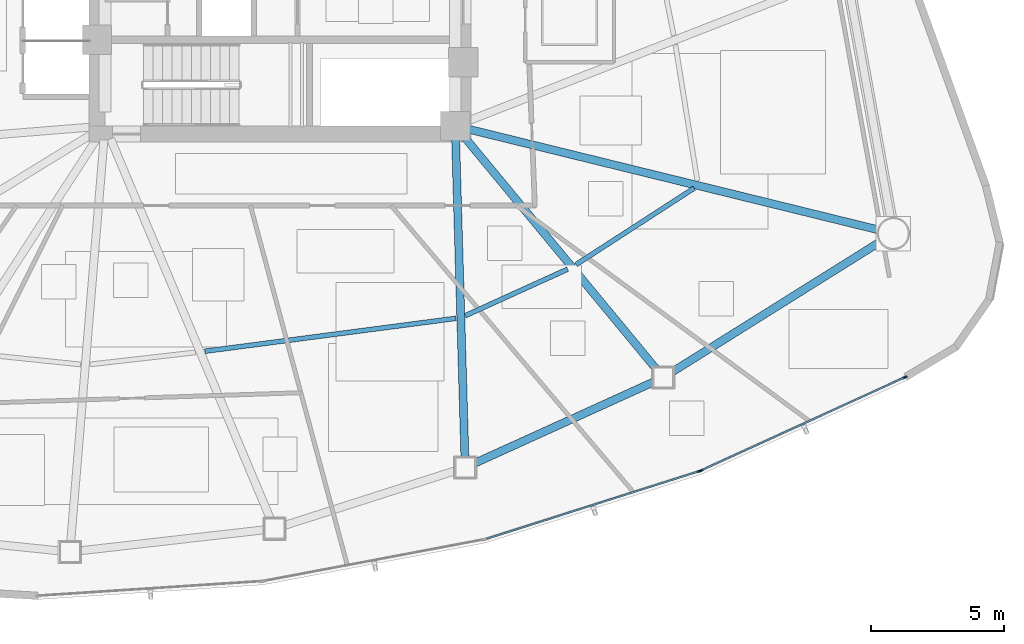
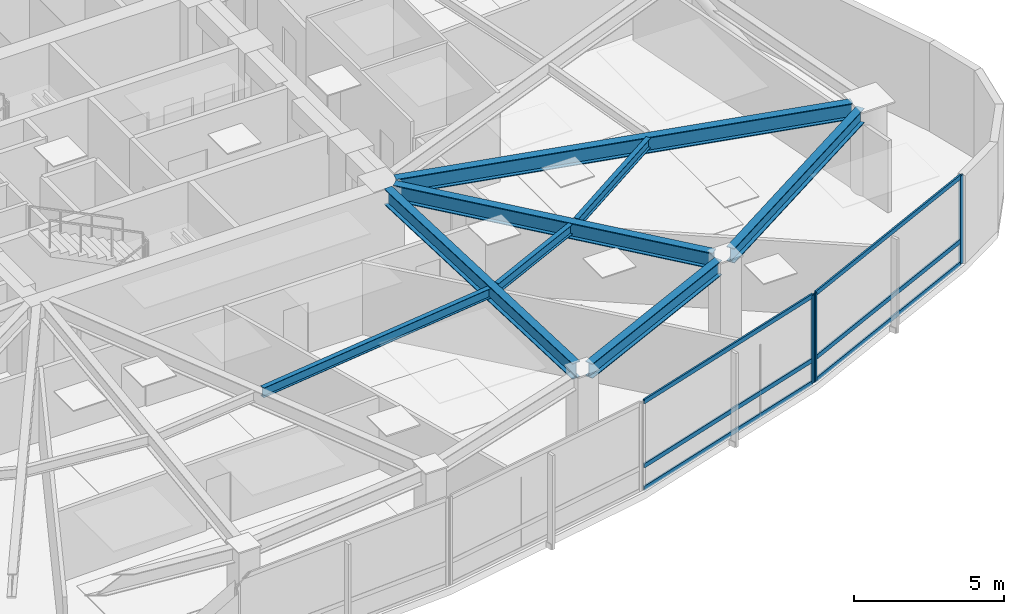
# One storey, part 6 of 18: 9 members, 8 beams, 2 elements without a shape of their own.
"""IFC4 building model written with IfcOpenShell, lengths in metres."""

from ifc_helpers import new_model, si_unit, direction, frame, origin, origin_2d, place, context, subcontext, project, spatial, hollow_rectangle, i_section, extrude, source, transform, mapped, material, layer, layer_set, material_profile, profile_set, type_object, type_shapes, element, aggregate, save


model = new_model("IFC4")

# Units and contexts
model_context = context("Model", 3, precision=1e-05, world=origin(), true_north=direction((0.0, 1.0)))
body_context = subcontext(model_context, "Body", "Model", "MODEL_VIEW")
ifc_project = project(units=[si_unit("LENGTHUNIT", "METRE"), si_unit("AREAUNIT", "SQUARE_METRE"), si_unit("VOLUMEUNIT", "CUBIC_METRE"), si_unit("PLANEANGLEUNIT", "RADIAN"), si_unit("MASSUNIT", "GRAM", prefix="KILO")], contexts=[model_context])

# Site, building, storey
site_placement = place(None, origin())
site = spatial("IfcSite", under=ifc_project, at=site_placement, CompositionType="ELEMENT")
building_placement = place(site_placement, origin())
building = spatial("IfcBuilding", under=site, at=building_placement, Name="Tavelor Broadcast Tower", CompositionType="ELEMENT")
storey_placement = place(building_placement, frame((0.0, 0.0, 54.89990234375)))
storey = spatial("IfcBuildingStorey", under=building, at=storey_placement, Name="L12", CompositionType="ELEMENT", Elevation=54.89990234375)

# Beams
ifc_material_1 = material(Name="Steel S355", Category="steel")
ifc_material_profile_1 = material_profile(ifc_material_1, i_section(OverallWidth=0.179931640625, OverallDepth=0.39990234375, WebThickness=0.008544921875, FlangeThickness=0.013427734375, at=origin_2d()), Name="IPE 400")
ifc_profile_set_1 = profile_set([ifc_material_profile_1], Name="Steel S355")
beam_type_1 = type_object("IfcBeamType", Name="Composite Floor Joist T1 IPE 400", PredefinedType="JOIST", material=ifc_profile_set_1)
beam_1_placement = place(storey_placement, frame((47.16259765625, 30.3056640625, 3.400146484375), z_axis=(0.991514230948, 0.129998191635, 0.0), x_axis=(-0.129998191635, 0.991514230948, 0.0)))
element("IfcBeam", 1, at=beam_1_placement, inside=storey, type_object=beam_type_1, Name="L12 Secondary Composite Floor Joist 10", PredefinedType="JOIST", context=body_context, shape_type="SweptSolid", body=[
    extrude(i_section(OverallWidth=0.179931640625, OverallDepth=0.39990234375, WebThickness=0.008544921875, FlangeThickness=0.013427734375, at=origin_2d()), origin(), (0.0, 0.0, 1.0), 9.5498046875),
])
beam_2_placement = place(storey_placement, frame((56.9755859375, 31.6455078125, 3.400146484375), z_axis=(0.910480737696, 0.413551479607, 0.0), x_axis=(-0.413551479607, 0.910480737696, 0.0)))
element("IfcBeam", 2, at=beam_2_placement, inside=storey, type_object=beam_type_1, Name="L12 Secondary Composite Floor Joist 11", PredefinedType="JOIST", context=body_context, shape_type="SweptSolid", body=[
    extrude(i_section(OverallWidth=0.179931640625, OverallDepth=0.39990234375, WebThickness=0.008544921875, FlangeThickness=0.013427734375, at=origin_2d()), origin(), (0.0, 0.0, 1.0), 4.242919921875),
])
beam_3_placement = place(storey_placement, frame((61.1552734375, 33.573486328125, 3.400146484375), z_axis=(0.839582514508, 0.543232179949, 0.0), x_axis=(-0.543232179949, 0.839582514508, 0.0)))
element("IfcBeam", 3, at=beam_3_placement, inside=storey, type_object=beam_type_1, Name="L12 Secondary Composite Floor Joist 12", PredefinedType="JOIST", context=body_context, shape_type="SweptSolid", body=[
    extrude(i_section(OverallWidth=0.179931640625, OverallDepth=0.39990234375, WebThickness=0.008544921875, FlangeThickness=0.013427734375, at=origin_2d()), origin(), (0.0, 0.0, 1.0), 5.300537109375),
])
ifc_material_profile_2 = material_profile(ifc_material_1, i_section(OverallWidth=0.300048828125, OverallDepth=0.60009765625, WebThickness=0.015380859375, FlangeThickness=0.030029296875, at=origin_2d()), Name="HEB 600")
ifc_profile_set_2 = profile_set([ifc_material_profile_2], Name="Steel S355")
beam_type_2 = type_object("IfcBeamType", Name="Perimeter Spandrel Beam T1 HEB 600", PredefinedType="SPANDREL", material=ifc_profile_set_2)
beam_4_placement = place(storey_placement, frame((57.324951171875, 26.080322265625, 3.300048828125), z_axis=(0.910424944341, 0.413674293039, 0.0), x_axis=(-0.413674293039, 0.910424944341, 0.0)))
element("IfcBeam", 4, at=beam_4_placement, inside=storey, type_object=beam_type_2, Name="L12 Framed-Tube Ring Spandrel 11", PredefinedType="SPANDREL", context=body_context, shape_type="SweptSolid", body=[
    extrude(i_section(OverallWidth=0.300048828125, OverallDepth=0.60009765625, WebThickness=0.015380859375, FlangeThickness=0.030029296875, at=origin_2d()), origin(), (0.0, 0.0, 1.0), 7.43505859375),
])
beam_5_placement = place(storey_placement, frame((64.76904296875, 29.518798828125, 3.300048828125), z_axis=(0.847667977469, 0.530527096361, 0.0), x_axis=(-0.530527096361, 0.847667977469, 0.0)))
element("IfcBeam", 5, at=beam_5_placement, inside=storey, type_object=beam_type_2, Name="L12 Framed-Tube Ring Spandrel 12", PredefinedType="SPANDREL", context=body_context, shape_type="SweptSolid", body=[
    extrude(i_section(OverallWidth=0.300048828125, OverallDepth=0.60009765625, WebThickness=0.015380859375, FlangeThickness=0.030029296875, at=origin_2d()), origin(), (0.0, 0.0, 1.0), 9.263916015625),
])
ifc_material_profile_3 = material_profile(ifc_material_1, i_section(OverallWidth=0.300048828125, OverallDepth=0.64990234375, WebThickness=0.01611328125, FlangeThickness=0.031005859375, at=origin_2d()), Name="HEB 650")
ifc_profile_set_3 = profile_set([ifc_material_profile_3], Name="Steel S355")
beam_type_3 = type_object("IfcBeamType", Name="Radial Floor Girder T1 HEB 650", PredefinedType="BEAM", material=ifc_profile_set_3)
beam_6_placement = place(storey_placement, frame((56.615478515625, 38.272216796875, 3.275146484375), z_axis=(0.02912098859, -0.999575894079, 0.0), x_axis=(0.999575894079, 0.02912098859, 0.0)))
element("IfcBeam", 6, at=beam_6_placement, inside=storey, type_object=beam_type_3, Name="L12 Radial Primary Floor Girder 11", PredefinedType="BEAM", context=body_context, shape_type="SweptSolid", body=[
    extrude(i_section(OverallWidth=0.300048828125, OverallDepth=0.64990234375, WebThickness=0.01611328125, FlangeThickness=0.031005859375, at=origin_2d()), origin(), (0.0, 0.0, 1.0), 11.971923828125),
])
beam_7_placement = place(storey_placement, frame((56.9365234375, 38.39306640625, 3.275146484375), z_axis=(0.63726338108, -0.770646081632, 0.0), x_axis=(0.770646081632, 0.63726338108, 0.0)))
element("IfcBeam", 7, at=beam_7_placement, inside=storey, type_object=beam_type_3, Name="L12 Radial Primary Floor Girder 12", PredefinedType="BEAM", context=body_context, shape_type="SweptSolid", body=[
    extrude(i_section(OverallWidth=0.300048828125, OverallDepth=0.64990234375, WebThickness=0.01611328125, FlangeThickness=0.031005859375, at=origin_2d()), origin(), (0.0, 0.0, 1.0), 11.39599609375),
])
beam_8_placement = place(storey_placement, frame((57.11279296875, 38.674072265625, 3.275146484375), z_axis=(0.971150402203, -0.23846780978, 0.0), x_axis=(0.23846780978, 0.971150402203, 0.0)))
element("IfcBeam", 8, at=beam_8_placement, inside=storey, type_object=beam_type_3, Name="L12 Radial Primary Floor Girder 13", PredefinedType="BEAM", context=body_context, shape_type="SweptSolid", body=[
    extrude(i_section(OverallWidth=0.300048828125, OverallDepth=0.64990234375, WebThickness=0.01611328125, FlangeThickness=0.031005859375, at=origin_2d()), origin(), (0.0, 0.0, 1.0), 15.895263671875),
])

# Curtain wall, member
ifc_material_2 = material(Name="Architectural Anodized Aluminium", Category="aluminium")
ifc_layer = layer(ifc_material_2, 0.179931640625)
ifc_layer_set = layer_set([ifc_layer], Name="Architectural Anodized Aluminium")
curtain_wall_type = type_object("IfcCurtainWallType", Name="Tower Low-Zone Unitised Curtain Wall CW02", PredefinedType="NOTDEFINED", material=ifc_layer_set)
curtain_wall_1_placement = place(storey_placement, origin())
curtain_wall_1 = element("IfcCurtainWall", 9, at=curtain_wall_1_placement, inside=storey, type_object=curtain_wall_type, Name="L12 Curtain Wall CW02 Run 103", PredefinedType="NOTDEFINED")
ifc_material_profile_4 = material_profile(ifc_material_2, hollow_rectangle(XDim=0.06494140625, YDim=0.179931640625, WallThickness=0.02197265625, at=origin_2d()), Name="RHS 65x180x22")
ifc_profile_set_4 = profile_set([ifc_material_profile_4], Name="Architectural Anodized Aluminium")
member_type_1 = type_object("IfcMemberType", Name="CW02 Extruded Aluminium Mullion 65x180", PredefinedType="MULLION", material=ifc_profile_set_4)
shared_shape_1 = source(origin(), body_context, "Body", "SweptSolid", [
    extrude(hollow_rectangle(XDim=0.06494140625, YDim=0.179931640625, WallThickness=0.02197265625, at=origin_2d()), origin(), (0.0, 0.0, 1.0), 3.60009765625),
])
type_shapes(member_type_1, [shared_shape_1])
member_1_placement = place(storey_placement, frame((65.791748046875, 25.779541015625, 0.0), z_axis=(0.0, 0.0, 1.0), x_axis=(-0.302801884231, 0.953053523631, 0.0)))
member_1 = element("IfcMember", 10, at=member_1_placement, type_object=member_type_1, Name="CW02 mullion 2", PredefinedType="MULLION", context=body_context, shape_type="MappedRepresentation", body=[
    mapped(shared_shape_1, transform((0.0, 0.0, 0.0), scale=1.0)),
])

# Curtain wall, members
curtain_wall_2_placement = place(storey_placement, origin())
curtain_wall_2 = element("IfcCurtainWall", 11, at=curtain_wall_2_placement, inside=storey, type_object=curtain_wall_type, Name="L12 Curtain Wall CW02 Run 104", PredefinedType="NOTDEFINED")
member_2_placement = place(storey_placement, frame((65.880126953125, 25.813720703125, 0.0), z_axis=(0.0, 0.0, 1.0), x_axis=(-0.415908182412, 0.90940661082, 0.0)))
member_2 = element("IfcMember", 12, at=member_2_placement, type_object=member_type_1, Name="CW02 mullion 1", PredefinedType="MULLION", context=body_context, shape_type="MappedRepresentation", body=[
    mapped(shared_shape_1, transform((0.0, 0.0, 0.0), scale=1.0)),
])
member_3_placement = place(storey_placement, frame((73.55322265625, 29.322998046875, 0.0), z_axis=(0.0, 0.0, 1.0), x_axis=(-0.415908182412, 0.90940661082, 0.0)))
member_3 = element("IfcMember", 13, at=member_3_placement, type_object=member_type_1, Name="CW02 mullion 2", PredefinedType="MULLION", context=body_context, shape_type="MappedRepresentation", body=[
    mapped(shared_shape_1, transform((0.0, 0.0, 0.0), scale=1.0)),
])

# Member
ifc_material_profile_5 = material_profile(ifc_material_2, hollow_rectangle(XDim=0.06494140625, YDim=0.179931640625, WallThickness=0.02197265625, at=origin_2d()), Name="RHS 65x180x22")
ifc_profile_set_5 = profile_set([ifc_material_profile_5], Name="Architectural Anodized Aluminium")
member_type_2 = type_object("IfcMemberType", Name="CW02 Extruded Aluminium Transom 65x180", PredefinedType="USERDEFINED", material=ifc_profile_set_5)
shared_shape_2 = source(origin(), body_context, "Body", "SweptSolid", [
    extrude(hollow_rectangle(XDim=0.06494140625, YDim=0.179931640625, WallThickness=0.02197265625, at=origin_2d()), origin(), (0.0, 0.0, 1.0), 8.3564453125),
])
member_4_placement = place(storey_placement, frame((57.796630859375, 23.239501953125, 0.03271484375), z_axis=(0.953055766647, 0.302794824363, 0.0), x_axis=(-0.302794824363, 0.953055766647, 0.0)))
member_4 = element("IfcMember", 14, at=member_4_placement, type_object=member_type_2, Name="CW02 transom 1.1", ObjectType="TRANSOM", PredefinedType="USERDEFINED", context=body_context, shape_type="MappedRepresentation", body=[
    mapped(shared_shape_2, transform((0.0, 0.0, 0.0), scale=1.0)),
])

member_5_placement = place(storey_placement, frame((57.796630859375, 23.239501953125, 0.9501953125), z_axis=(0.953055766647, 0.302794824363, 0.0), x_axis=(-0.302794824363, 0.953055766647, 0.0)))
member_5 = element("IfcMember", 15, at=member_5_placement, type_object=member_type_2, Name="CW02 transom 1.2", ObjectType="TRANSOM", PredefinedType="USERDEFINED", context=body_context, shape_type="MappedRepresentation", body=[
    mapped(shared_shape_2, transform((0.0, 0.0, 0.0), scale=1.0)),
])

member_6_placement = place(storey_placement, frame((57.796630859375, 23.239501953125, 3.567626953125), z_axis=(0.953055766647, 0.302794824363, 0.0), x_axis=(-0.302794824363, 0.953055766647, 0.0)))
member_6 = element("IfcMember", 16, at=member_6_placement, type_object=member_type_2, Name="CW02 transom 1.3", ObjectType="TRANSOM", PredefinedType="USERDEFINED", context=body_context, shape_type="MappedRepresentation", body=[
    mapped(shared_shape_2, transform((0.0, 0.0, 0.0), scale=1.0)),
])

aggregate(curtain_wall_1, [member_1, member_4, member_5, member_6])

shared_shape_3 = source(origin(), body_context, "Body", "SweptSolid", [
    extrude(hollow_rectangle(XDim=0.06494140625, YDim=0.179931640625, WallThickness=0.02197265625, at=origin_2d()), origin(), (0.0, 0.0, 1.0), 8.37255859375),
])
type_shapes(member_type_2, [shared_shape_2, shared_shape_3])
member_7_placement = place(storey_placement, frame((65.90966796875, 25.827392578125, 0.03271484375), z_axis=(0.909407362679, 0.415906538426, 0.0), x_axis=(-0.415906538426, 0.909407362679, 0.0)))
member_7 = element("IfcMember", 17, at=member_7_placement, type_object=member_type_2, Name="CW02 transom 1.1", ObjectType="TRANSOM", PredefinedType="USERDEFINED", context=body_context, shape_type="MappedRepresentation", body=[
    mapped(shared_shape_3, transform((0.0, 0.0, 0.0), scale=1.0)),
])

member_8_placement = place(storey_placement, frame((65.90966796875, 25.827392578125, 0.9501953125), z_axis=(0.909407362679, 0.415906538426, 0.0), x_axis=(-0.415906538426, 0.909407362679, 0.0)))
member_8 = element("IfcMember", 18, at=member_8_placement, type_object=member_type_2, Name="CW02 transom 1.2", ObjectType="TRANSOM", PredefinedType="USERDEFINED", context=body_context, shape_type="MappedRepresentation", body=[
    mapped(shared_shape_3, transform((0.0, 0.0, 0.0), scale=1.0)),
])

member_9_placement = place(storey_placement, frame((65.90966796875, 25.827392578125, 3.567626953125), z_axis=(0.909407362679, 0.415906538426, 0.0), x_axis=(-0.415906538426, 0.909407362679, 0.0)))
member_9 = element("IfcMember", 19, at=member_9_placement, type_object=member_type_2, Name="CW02 transom 1.3", ObjectType="TRANSOM", PredefinedType="USERDEFINED", context=body_context, shape_type="MappedRepresentation", body=[
    mapped(shared_shape_3, transform((0.0, 0.0, 0.0), scale=1.0)),
])

aggregate(curtain_wall_2, [member_2, member_3, member_7, member_8, member_9])

save(model, "model.ifc")
